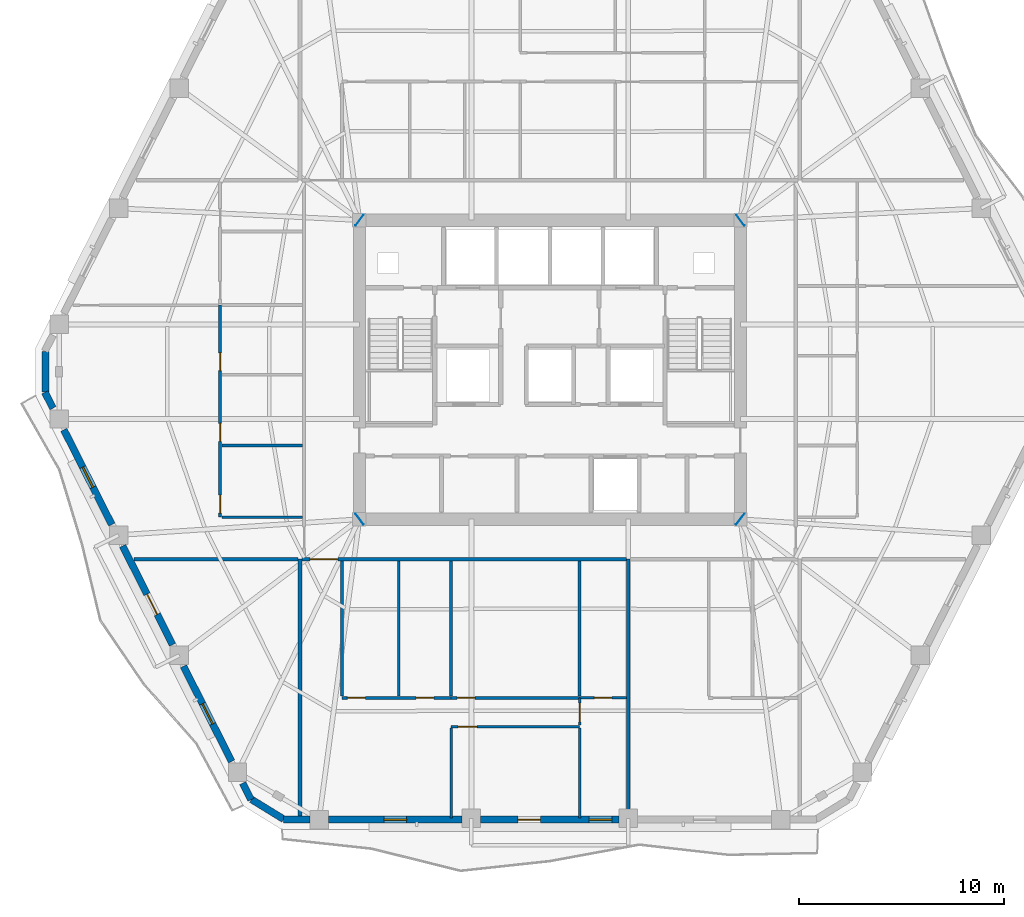
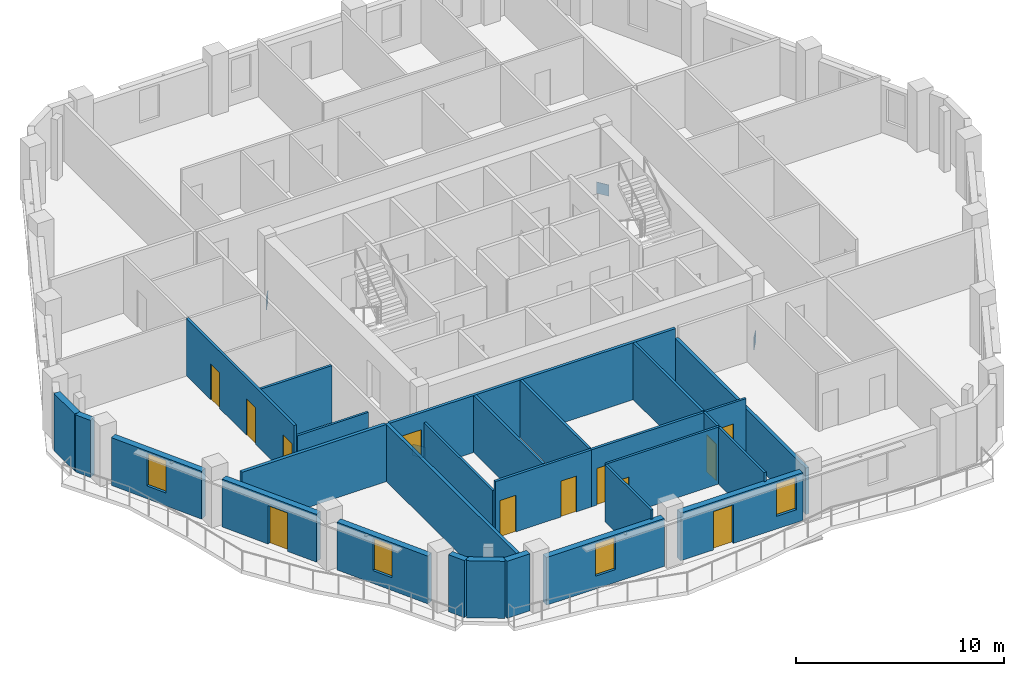
# One storey, part 4 of 12: 28 walls, 12 doors, 4 plates, 4 windows, 16 openings.
"""IFC4 building model written with IfcOpenShell, lengths in metres."""

from ifc_helpers import new_model, si_unit, direction, frame, frame_2d, origin, origin_2d, place, context, subcontext, project, spatial, rectangle, extrude, material, layer, layer_set, type_object, element, fill, save


model = new_model("IFC4")

# Units and contexts
model_context = context("Model", 3, precision=1e-05, world=origin(), true_north=direction((0.0, 1.0)))
body_context = subcontext(model_context, "Body", "Model", "MODEL_VIEW")
ifc_project = project(units=[si_unit("LENGTHUNIT", "METRE"), si_unit("AREAUNIT", "SQUARE_METRE"), si_unit("VOLUMEUNIT", "CUBIC_METRE"), si_unit("PLANEANGLEUNIT", "RADIAN"), si_unit("MASSUNIT", "GRAM", prefix="KILO")], contexts=[model_context])

# Site, building, storey
site_placement = place(None, origin())
site = spatial("IfcSite", under=ifc_project, at=site_placement, CompositionType="ELEMENT")
building_placement = place(site_placement, origin())
building = spatial("IfcBuilding", under=site, at=building_placement, Name="Cinnabar Lancet Tower", CompositionType="ELEMENT")
storey_placement = place(building_placement, frame((0.0, 0.0, 153.5)))
storey = spatial("IfcBuildingStorey", under=building, at=storey_placement, Name="L40", CompositionType="ELEMENT", Elevation=153.5)

# Plates
ifc_material_1 = material(Name="Structural steel S460", Category="steel")
ifc_layer_1 = layer(ifc_material_1, 0.030029296875)
ifc_layer_set_1 = layer_set([ifc_layer_1], Name="Structural steel S460")
plate_type = type_object("IfcPlateType", Name="STR-PL-CAP-25", PredefinedType="SHEET", material=ifc_layer_set_1)
for number, where, z_axis, x_axis, name in (
    (1, (23.10595703125, 18.60498046875, -0.8447265625), (0.0, 0.0, 1.0), (0.797678670674, 0.603082696113, 0.0), "Hollow section end cap plate CP-COR-L40-1"),
    (2, (41.694091796875, 18.60498046875, -0.8447265625), (0.0, 0.0, 1.0), (-0.797678670674, 0.603082696113, 0.0), "Hollow section end cap plate CP-COR-L40-2"),
    (3, (41.694091796875, 33.195068359375, -0.8447265625), (0.0, 0.0, 1.0), (-0.806413642261, -0.591351872894, 0.0), "Hollow section end cap plate CP-COR-L40-3"),
    (4, (23.10595703125, 33.195068359375, -0.8447265625), (0.0, 0.0, 1.0), (0.806413642261, -0.591351872894, 0.0), "Hollow section end cap plate CP-COR-L40-4"),
):
    element("IfcPlate", number, at=place(storey_placement, frame(where, z_axis=z_axis, x_axis=x_axis)), inside=storey, type_object=plate_type, Name=name, PredefinedType="SHEET", context=body_context, shape_type="SweptSolid", body=[
        extrude(rectangle(XDim=0.030029296875, YDim=0.659912109375, at=origin_2d()), origin(), (0.0, 0.0, 1.0), 0.659912109375),
    ])

# Wall, opening, door
ifc_material_2 = material(Name="Acoustic twin-stud gypsum partition", Category="gypsum")
ifc_layer_2 = layer(ifc_material_2, 0.159912109375)
ifc_layer_set_2 = layer_set([ifc_layer_2], Name="Acoustic twin-stud gypsum partition")
wall_type_1 = type_object("IfcWallType", Name="ARC-WL-CORR-160", PredefinedType="PARTITIONING", material=ifc_layer_set_2)
wall_1_placement = place(storey_placement, frame((20.294921875, 16.64990234375, 0.0), z_axis=(0.0, 0.0, 1.0), x_axis=(1.0, 0.0, 0.0)))
wall_1 = element("IfcWall", 5, at=wall_1_placement, inside=storey, type_object=wall_type_1, Name="L40 Unit S01 Corridor Wall", PredefinedType="PARTITIONING", context=body_context, shape_type="SweptSolid", body=[
    extrude(rectangle(XDim=15.842041015625, YDim=0.159912109375, at=frame_2d((7.9208984375, 0.0))), origin(), (0.0, 0.0, 1.0), 3.340087890625),
])
opening_1_placement = place(wall_1_placement, frame((0.405029296875, 0.0, 0.0)))
opening_1 = element("IfcOpeningElement", 6, at=opening_1_placement, cuts=wall_1, Name="Opening UD-02", PredefinedType="OPENING", context=body_context, shape_type="SweptSolid", body=[
    extrude(rectangle(XDim=1.35009765625, YDim=2.35009765625, at=frame_2d((0.675048828125, 1.175048828125))), frame((0.0, 0.08984375, 0.0), z_axis=(0.0, -1.0, 0.0), x_axis=(1.0, 0.0, 0.0)), (0.0, 0.0, 1.0), 0.179931640625),
])
ifc_material_3 = material(Name="Double-leaf solid timber penthouse entrance door", Category="wood")
door_type_1 = type_object("IfcDoorType", Name="ARC-DR-UNIT-PH", OperationType="NOTDEFINED", PredefinedType="DOOR", material=ifc_material_3)
door_1_placement = place(opening_1_placement, origin())
door_1 = element("IfcDoor", 7, at=door_1_placement, inside=storey, type_object=door_type_1, Name="DR-L40-S01-ENT", OperationType="SINGLE_SWING_LEFT", OverallHeight=2.35009765625, OverallWidth=1.35009765625, PredefinedType="DOOR", context=body_context, shape_type="SweptSolid", body=[
    extrude(rectangle(XDim=1.35009765625, YDim=2.35009765625, at=frame_2d((0.675048828125, 1.175048828125))), frame((0.0, 0.02490234375, 0.0), z_axis=(0.0, -1.0, 0.0), x_axis=(1.0, 0.0, 0.0)), (0.0, 0.0, 1.0), 0.050048828125),
])
fill(opening_1, door_1)

# Walls
ifc_material_4 = material(Name="Fire-rated twin-frame acoustic drywall", Category="gypsum")
ifc_layer_3 = layer(ifc_material_4, 0.179931640625)
ifc_layer_set_3 = layer_set([ifc_layer_3], Name="Fire-rated twin-frame acoustic drywall")
wall_type_2 = type_object("IfcWallType", Name="ARC-WL-PARTY-180", PredefinedType="PARTITIONING", material=ifc_layer_set_3)
wall_2_placement = place(storey_placement, frame((20.199951171875, 4.10498046875, 0.0), z_axis=(0.0, 0.0, 1.0), x_axis=(0.0, 1.0, 0.0)))
element("IfcWall", 8, at=wall_2_placement, inside=storey, type_object=wall_type_2, Name="PW-L40-SPTY-202", PredefinedType="PARTITIONING", context=body_context, shape_type="SweptSolid", body=[
    extrude(rectangle(XDim=12.544921875, YDim=0.179931640625, at=frame_2d((6.2724609375, 0.0))), origin(), (0.0, 0.0, 1.0), 3.340087890625),
])
wall_3_placement = place(storey_placement, frame((36.23193359375, 4.10498046875, 0.0), z_axis=(0.0, 0.0, 1.0), x_axis=(0.0, 1.0, 0.0)))
element("IfcWall", 9, at=wall_3_placement, inside=storey, type_object=wall_type_2, Name="PW-L40-SPTY-362", PredefinedType="PARTITIONING", context=body_context, shape_type="SweptSolid", body=[
    extrude(rectangle(XDim=12.544921875, YDim=0.179931640625, at=frame_2d((6.2724609375, 0.0))), origin(), (0.0, 0.0, 1.0), 2.721923828125),
])
wall_4_placement = place(storey_placement, frame((12.10888671875, 16.64990234375, 0.0), z_axis=(0.0, 0.0, 1.0), x_axis=(1.0, 0.0, 0.0)))
element("IfcWall", 10, at=wall_4_placement, inside=storey, type_object=wall_type_2, Name="PW-L40-WSB", PredefinedType="PARTITIONING", context=body_context, shape_type="SweptSolid", body=[
    extrude(rectangle(XDim=7.99609375, YDim=0.179931640625, at=frame_2d((3.998046875, 0.0))), origin(), (0.0, 0.0, 1.0), 3.340087890625),
])
ifc_material_5 = material(Name="Gypsum plasterboard stud partition", Category="gypsum")
ifc_layer_4 = layer(ifc_material_5, 0.125)
ifc_layer_set_4 = layer_set([ifc_layer_4], Name="Gypsum plasterboard stud partition")
wall_type_3 = type_object("IfcWallType", Name="ARC-WL-UNIT-125", PredefinedType="PARTITIONING", material=ifc_layer_set_4)
wall_5_placement = place(storey_placement, frame((22.25, 9.98095703125, 0.0), z_axis=(0.0, 0.0, 1.0), x_axis=(0.0, 1.0, 0.0)))
element("IfcWall", 11, at=wall_5_placement, inside=storey, type_object=wall_type_3, Name="UW-L40-S01-FOYE", PredefinedType="PARTITIONING", context=body_context, shape_type="SweptSolid", body=[
    extrude(rectangle(XDim=6.583984375, YDim=0.125, at=frame_2d((3.2919921875, 0.0))), origin(), (0.0, 0.0, 1.0), 2.721923828125),
])

# Wall, opening, door
wall_6_placement = place(storey_placement, frame((33.85009765625, 9.8759765625, 0.0), z_axis=(0.0, 0.0, 1.0), x_axis=(1.0, 0.0, 0.0)))
wall_6 = element("IfcWall", 12, at=wall_6_placement, inside=storey, type_object=wall_type_3, Name="UW-L40-S01-SP2", PredefinedType="PARTITIONING", context=body_context, shape_type="SweptSolid", body=[
    extrude(rectangle(XDim=2.286865234375, YDim=0.125, at=frame_2d((1.1435546875, 0.0))), origin(), (0.0, 0.0, 1.0), 3.340087890625),
])
opening_2_placement = place(wall_6_placement, frame((0.718017578125, 0.0, 0.0)))
opening_2 = element("IfcOpeningElement", 13, at=opening_2_placement, cuts=wall_6, Name="Opening BD-01", PredefinedType="OPENING", context=body_context, shape_type="SweptSolid", body=[
    extrude(rectangle(XDim=0.860107421875, YDim=2.10009765625, at=frame_2d((0.43017578125, 1.050048828125))), frame((0.0, 0.072509765625, 0.0), z_axis=(0.0, -1.0, 0.0), x_axis=(1.0, 0.0, 0.0)), (0.0, 0.0, 1.0), 0.14501953125),
])
ifc_material_6 = material(Name="Moisture-resistant timber bathroom door", Category="wood")
door_type_2 = type_object("IfcDoorType", Name="ARC-DR-BATH", OperationType="NOTDEFINED", PredefinedType="DOOR", material=ifc_material_6)
door_2_placement = place(opening_2_placement, origin())
door_2 = element("IfcDoor", 14, at=door_2_placement, inside=storey, type_object=door_type_2, Name="DR-L40-S01-ENS", OperationType="SINGLE_SWING_LEFT", OverallHeight=2.10009765625, OverallWidth=0.860107421875, PredefinedType="DOOR", context=body_context, shape_type="SweptSolid", body=[
    extrude(rectangle(XDim=0.860107421875, YDim=2.10009765625, at=frame_2d((0.43017578125, 1.050048828125))), frame((0.0, 0.02490234375, 0.0), z_axis=(0.0, -1.0, 0.0), x_axis=(1.0, 0.0, 0.0)), (0.0, 0.0, 1.0), 0.050048828125),
])
fill(opening_2, door_2)

# Wall
wall_7_placement = place(storey_placement, frame((27.574951171875, 4.014892578125, 0.0), z_axis=(0.0, 0.0, 1.0), x_axis=(0.0, 1.0, 0.0)))
element("IfcWall", 15, at=wall_7_placement, inside=storey, type_object=wall_type_3, Name="UW-L40-S01-BD2W", PredefinedType="PARTITIONING", context=body_context, shape_type="SweptSolid", body=[
    extrude(rectangle(XDim=4.39599609375, YDim=0.125, at=frame_2d((2.197998046875, 0.0))), origin(), (0.0, 0.0, 1.0), 3.340087890625),
])

# Wall, opening, door
wall_8_placement = place(storey_placement, frame((27.574951171875, 8.47607421875, 0.0), z_axis=(0.0, 0.0, 1.0), x_axis=(1.0, 0.0, 0.0)))
wall_8 = element("IfcWall", 16, at=wall_8_placement, inside=storey, type_object=wall_type_3, Name="UW-L40-S01-HLN", PredefinedType="PARTITIONING", context=body_context, shape_type="SweptSolid", body=[
    extrude(rectangle(XDim=6.275146484375, YDim=0.125, at=frame_2d((3.1376953125, 0.0))), origin(), (0.0, 0.0, 1.0), 3.340087890625),
])
opening_3_placement = place(wall_8_placement, frame((0.35009765625, 0.0, 0.0)))
opening_3 = element("IfcOpeningElement", 17, at=opening_3_placement, cuts=wall_8, Name="Opening RD-01", PredefinedType="OPENING", context=body_context, shape_type="SweptSolid", body=[
    extrude(rectangle(XDim=0.919921875, YDim=2.14990234375, at=frame_2d((0.4599609375, 1.074951171875))), frame((0.0, 0.072509765625, 0.0), z_axis=(0.0, -1.0, 0.0), x_axis=(1.0, 0.0, 0.0)), (0.0, 0.0, 1.0), 0.14501953125),
])
ifc_material_7 = material(Name="Engineered timber bedroom door", Category="wood")
door_type_3 = type_object("IfcDoorType", Name="ARC-DR-ROOM", OperationType="NOTDEFINED", PredefinedType="DOOR", material=ifc_material_7)
door_3_placement = place(opening_3_placement, origin())
door_3 = element("IfcDoor", 18, at=door_3_placement, inside=storey, type_object=door_type_3, Name="DR-L40-S01-BD2", OperationType="SINGLE_SWING_RIGHT", OverallHeight=2.14990234375, OverallWidth=0.919921875, PredefinedType="DOOR", context=body_context, shape_type="SweptSolid", body=[
    extrude(rectangle(XDim=0.919921875, YDim=2.14990234375, at=frame_2d((0.4599609375, 1.074951171875))), frame((0.0, 0.02490234375, 0.0), z_axis=(0.0, -1.0, 0.0), x_axis=(1.0, 0.0, 0.0)), (0.0, 0.0, 1.0), 0.050048828125),
])
fill(opening_3, door_3)

wall_9_placement = place(storey_placement, frame((33.85009765625, 8.5458984375, 0.0), z_axis=(0.0, 0.0, 1.0), x_axis=(0.0, 1.0, 0.0)))
wall_9 = element("IfcWall", 19, at=wall_9_placement, inside=storey, type_object=wall_type_3, Name="UW-L40-S01-MBE", PredefinedType="PARTITIONING", context=body_context, shape_type="SweptSolid", body=[
    extrude(rectangle(XDim=1.330078125, YDim=0.125, at=frame_2d((0.6650390625, 0.0))), origin(), (0.0, 0.0, 1.0), 3.340087890625),
])
opening_4_placement = place(wall_9_placement, frame((0.159912109375, 0.0, 0.0)))
opening_4 = element("IfcOpeningElement", 20, at=opening_4_placement, cuts=wall_9, Name="Opening RD-01", PredefinedType="OPENING", context=body_context, shape_type="SweptSolid", body=[
    extrude(rectangle(XDim=0.919921875, YDim=2.14990234375, at=frame_2d((0.4599609375, 1.074951171875))), frame((0.0, 0.072509765625, 0.0), z_axis=(0.0, -1.0, 0.0), x_axis=(1.0, 0.0, 0.0)), (0.0, 0.0, 1.0), 0.14501953125),
])
door_4_placement = place(opening_4_placement, origin())
door_4 = element("IfcDoor", 21, at=door_4_placement, inside=storey, type_object=door_type_3, Name="DR-L40-S01-MBD", OperationType="SINGLE_SWING_RIGHT", OverallHeight=2.14990234375, OverallWidth=0.919921875, PredefinedType="DOOR", context=body_context, shape_type="SweptSolid", body=[
    extrude(rectangle(XDim=0.919921875, YDim=2.14990234375, at=frame_2d((0.4599609375, 1.074951171875))), frame((0.0, 0.02490234375, 0.0), z_axis=(0.0, -1.0, 0.0), x_axis=(1.0, 0.0, 0.0)), (0.0, 0.0, 1.0), 0.050048828125),
])
fill(opening_4, door_4)

# Walls
wall_10_placement = place(storey_placement, frame((33.85009765625, 4.014892578125, 0.0), z_axis=(0.0, 0.0, 1.0), x_axis=(0.0, 1.0, 0.0)))
element("IfcWall", 22, at=wall_10_placement, inside=storey, type_object=wall_type_3, Name="UW-L40-S01-MB2W", PredefinedType="PARTITIONING", context=body_context, shape_type="SweptSolid", body=[
    extrude(rectangle(XDim=4.39599609375, YDim=0.125, at=frame_2d((2.197998046875, 0.0))), origin(), (0.0, 0.0, 1.0), 3.340087890625),
])
wall_11_placement = place(storey_placement, frame((16.385009765625, 18.699951171875, 0.0), z_axis=(0.0, 0.0, 1.0), x_axis=(1.0, 0.0, 0.0)))
element("IfcWall", 23, at=wall_11_placement, inside=storey, type_object=wall_type_3, Name="UW-L40-W01-FOYN", PredefinedType="PARTITIONING", context=body_context, shape_type="SweptSolid", body=[
    extrude(rectangle(XDim=3.929931640625, YDim=0.125, at=frame_2d((1.96484375, 0.0))), origin(), (0.0, 0.0, 1.0), 2.721923828125),
])

# Wall, openings, doors
ifc_material_8 = material(Name="Moisture-resistant cement-board plumbing wall", Category="masonry")
ifc_layer_5 = layer(ifc_material_8, 0.139892578125)
ifc_layer_set_5 = layer_set([ifc_layer_5], Name="Moisture-resistant cement-board plumbing wall")
wall_type_4 = type_object("IfcWallType", Name="ARC-WL-WET-140", PredefinedType="PLUMBINGWALL", material=ifc_layer_set_5)
wall_12_placement = place(storey_placement, frame((22.25, 9.8759765625, 0.0), z_axis=(0.0, 0.0, 1.0), x_axis=(1.0, 0.0, 0.0)))
wall_12 = element("IfcWall", 24, at=wall_12_placement, inside=storey, type_object=wall_type_4, Name="UW-L40-S01-SPL", PredefinedType="PLUMBINGWALL", context=body_context, shape_type="SweptSolid", body=[
    extrude(rectangle(XDim=5.324951171875, YDim=0.139892578125, at=frame_2d((2.66259765625, 0.0))), origin(), (0.0, 0.0, 1.0), 3.340087890625),
])
opening_5_placement = place(wall_12_placement, frame((3.6220703125, 0.0, 0.0)))
opening_5 = element("IfcOpeningElement", 25, at=opening_5_placement, cuts=wall_12, Name="Opening BD-01", PredefinedType="OPENING", context=body_context, shape_type="SweptSolid", body=[
    extrude(rectangle(XDim=0.860107421875, YDim=2.10009765625, at=frame_2d((0.43017578125, 1.050048828125))), frame((0.0, 0.079833984375, 0.0), z_axis=(0.0, -1.0, 0.0), x_axis=(1.0, 0.0, 0.0)), (0.0, 0.0, 1.0), 0.159912109375),
])
opening_6_placement = place(wall_12_placement, frame((0.260009765625, 0.0, 0.0)))
opening_6 = element("IfcOpeningElement", 26, at=opening_6_placement, cuts=wall_12, Name="Opening RD-02", PredefinedType="OPENING", context=body_context, shape_type="SweptSolid", body=[
    extrude(rectangle(XDim=0.8798828125, YDim=2.14990234375, at=frame_2d((0.43994140625, 1.074951171875))), frame((0.0, 0.079833984375, 0.0), z_axis=(0.0, -1.0, 0.0), x_axis=(1.0, 0.0, 0.0)), (0.0, 0.0, 1.0), 0.159912109375),
])
door_5_placement = place(opening_5_placement, origin())
door_5 = element("IfcDoor", 27, at=door_5_placement, inside=storey, type_object=door_type_2, Name="DR-L40-S01-BTH", OperationType="SINGLE_SWING_LEFT", OverallHeight=2.10009765625, OverallWidth=0.860107421875, PredefinedType="DOOR", context=body_context, shape_type="SweptSolid", body=[
    extrude(rectangle(XDim=0.860107421875, YDim=2.10009765625, at=frame_2d((0.43017578125, 1.050048828125))), frame((0.0, 0.02490234375, 0.0), z_axis=(0.0, -1.0, 0.0), x_axis=(1.0, 0.0, 0.0)), (0.0, 0.0, 1.0), 0.050048828125),
])
fill(opening_5, door_5)
ifc_material_9 = material(Name="Engineered timber study door", Category="wood")
door_type_4 = type_object("IfcDoorType", Name="ARC-DR-STUDY", OperationType="NOTDEFINED", PredefinedType="DOOR", material=ifc_material_9)
door_6_placement = place(opening_6_placement, origin())
door_6 = element("IfcDoor", 28, at=door_6_placement, inside=storey, type_object=door_type_4, Name="DR-L40-S01-KIT", OperationType="SINGLE_SWING_RIGHT", OverallHeight=2.14990234375, OverallWidth=0.8798828125, PredefinedType="DOOR", context=body_context, shape_type="SweptSolid", body=[
    extrude(rectangle(XDim=0.8798828125, YDim=2.14990234375, at=frame_2d((0.43994140625, 1.074951171875))), frame((0.0, 0.02490234375, 0.0), z_axis=(0.0, -1.0, 0.0), x_axis=(1.0, 0.0, 0.0)), (0.0, 0.0, 1.0), 0.050048828125),
])
fill(opening_6, door_6)

# Wall, opening, door
wall_13_placement = place(storey_placement, frame((27.574951171875, 9.8759765625, 0.0), z_axis=(0.0, 0.0, 1.0), x_axis=(1.0, 0.0, 0.0)))
wall_13 = element("IfcWall", 29, at=wall_13_placement, inside=storey, type_object=wall_type_4, Name="UW-L40-S01-SPM", PredefinedType="PLUMBINGWALL", context=body_context, shape_type="SweptSolid", body=[
    extrude(rectangle(XDim=6.275146484375, YDim=0.139892578125, at=frame_2d((3.1376953125, 0.0))), origin(), (0.0, 0.0, 1.0), 3.340087890625),
])
opening_7_placement = place(wall_13_placement, frame((0.300048828125, 0.0, 0.0)))
opening_7 = element("IfcOpeningElement", 30, at=opening_7_placement, cuts=wall_13, Name="Opening RD-02", PredefinedType="OPENING", context=body_context, shape_type="SweptSolid", body=[
    extrude(rectangle(XDim=0.8798828125, YDim=2.14990234375, at=frame_2d((0.43994140625, 1.074951171875))), frame((0.0, 0.079833984375, 0.0), z_axis=(0.0, -1.0, 0.0), x_axis=(1.0, 0.0, 0.0)), (0.0, 0.0, 1.0), 0.159912109375),
])
door_7_placement = place(opening_7_placement, origin())
door_7 = element("IfcDoor", 31, at=door_7_placement, inside=storey, type_object=door_type_4, Name="DR-L40-S01-UTL", OperationType="SINGLE_SWING_LEFT", OverallHeight=2.14990234375, OverallWidth=0.8798828125, PredefinedType="DOOR", context=body_context, shape_type="SweptSolid", body=[
    extrude(rectangle(XDim=0.8798828125, YDim=2.14990234375, at=frame_2d((0.43994140625, 1.074951171875))), frame((0.0, 0.02490234375, 0.0), z_axis=(0.0, -1.0, 0.0), x_axis=(1.0, 0.0, 0.0)), (0.0, 0.0, 1.0), 0.050048828125),
])
fill(opening_7, door_7)

# Walls
for number, where, z_axis, x_axis, name in (
    (32, (25.01904296875, 9.98095703125, 0.0), (0.0, 0.0, 1.0), (0.0, 1.0, 0.0), "UW-L40-S01-KDV"),
    (33, (27.574951171875, 9.98095703125, 0.0), (0.0, 0.0, 1.0), (0.0, 1.0, 0.0), "UW-L40-S01-ENSW"),
    (34, (33.85009765625, 9.98095703125, 0.0), (0.0, 0.0, 1.0), (0.0, 1.0, 0.0), "UW-L40-S01-ENSE"),
):
    element("IfcWall", number, at=place(storey_placement, frame(where, z_axis=z_axis, x_axis=x_axis)), inside=storey, type_object=wall_type_4, Name=name, PredefinedType="PLUMBINGWALL", context=body_context, shape_type="SweptSolid", body=[
        extrude(rectangle(XDim=6.583984375, YDim=0.139892578125, at=frame_2d((3.2919921875, 0.0))), origin(), (0.0, 0.0, 1.0), 3.340087890625),
    ])

# Wall, openings, doors
wall_14_placement = place(storey_placement, frame((16.300048828125, 18.699951171875, 0.0), z_axis=(0.0, 0.0, 1.0), x_axis=(0.0, 1.0, 0.0)))
wall_14 = element("IfcWall", 35, at=wall_14_placement, inside=storey, type_object=wall_type_4, Name="UW-L40-W01-SPL", PredefinedType="PLUMBINGWALL", context=body_context, shape_type="SweptSolid", body=[
    extrude(rectangle(XDim=10.35498046875, YDim=0.139892578125, at=frame_2d((5.177490234375, 0.0))), origin(), (0.0, 0.0, 1.0), 3.340087890625),
])
opening_8_placement = place(wall_14_placement, frame((0.199951171875, 0.0, 0.0)))
opening_8 = element("IfcOpeningElement", 36, at=opening_8_placement, cuts=wall_14, Name="Opening RD-02", PredefinedType="OPENING", context=body_context, shape_type="SweptSolid", body=[
    extrude(rectangle(XDim=0.8798828125, YDim=2.14990234375, at=frame_2d((0.43994140625, 1.074951171875))), frame((0.0, 0.079833984375, 0.0), z_axis=(0.0, -1.0, 0.0), x_axis=(1.0, 0.0, 0.0)), (0.0, 0.0, 1.0), 0.159912109375),
])
opening_9_placement = place(wall_14_placement, frame((3.699951171875, 0.0, 0.0)))
opening_9 = element("IfcOpeningElement", 37, at=opening_9_placement, cuts=wall_14, Name="Opening RD-02", PredefinedType="OPENING", context=body_context, shape_type="SweptSolid", body=[
    extrude(rectangle(XDim=0.8798828125, YDim=2.14990234375, at=frame_2d((0.43994140625, 1.074951171875))), frame((0.0, 0.079833984375, 0.0), z_axis=(0.0, -1.0, 0.0), x_axis=(1.0, 0.0, 0.0)), (0.0, 0.0, 1.0), 0.159912109375),
])
opening_10_placement = place(wall_14_placement, frame((7.155029296875, 0.0, 0.0)))
opening_10 = element("IfcOpeningElement", 38, at=opening_10_placement, cuts=wall_14, Name="Opening BD-01", PredefinedType="OPENING", context=body_context, shape_type="SweptSolid", body=[
    extrude(rectangle(XDim=0.860107421875, YDim=2.10009765625, at=frame_2d((0.43017578125, 1.050048828125))), frame((0.0, 0.079833984375, 0.0), z_axis=(0.0, -1.0, 0.0), x_axis=(1.0, 0.0, 0.0)), (0.0, 0.0, 1.0), 0.159912109375),
])
door_8_placement = place(opening_10_placement, origin())
door_8 = element("IfcDoor", 39, at=door_8_placement, inside=storey, type_object=door_type_2, Name="DR-L40-W01-BTH", OperationType="SINGLE_SWING_RIGHT", OverallHeight=2.10009765625, OverallWidth=0.860107421875, PredefinedType="DOOR", context=body_context, shape_type="SweptSolid", body=[
    extrude(rectangle(XDim=0.860107421875, YDim=2.10009765625, at=frame_2d((0.43017578125, 1.050048828125))), frame((0.0, 0.02490234375, 0.0), z_axis=(0.0, -1.0, 0.0), x_axis=(1.0, 0.0, 0.0)), (0.0, 0.0, 1.0), 0.050048828125),
])
fill(opening_10, door_8)
door_9_placement = place(opening_8_placement, origin())
door_9 = element("IfcDoor", 40, at=door_9_placement, inside=storey, type_object=door_type_4, Name="DR-L40-W01-KIT", OperationType="SINGLE_SWING_RIGHT", OverallHeight=2.14990234375, OverallWidth=0.8798828125, PredefinedType="DOOR", context=body_context, shape_type="SweptSolid", body=[
    extrude(rectangle(XDim=0.8798828125, YDim=2.14990234375, at=frame_2d((0.43994140625, 1.074951171875))), frame((0.0, 0.02490234375, 0.0), z_axis=(0.0, -1.0, 0.0), x_axis=(1.0, 0.0, 0.0)), (0.0, 0.0, 1.0), 0.050048828125),
])
fill(opening_8, door_9)
door_10_placement = place(opening_9_placement, origin())
door_10 = element("IfcDoor", 41, at=door_10_placement, inside=storey, type_object=door_type_4, Name="DR-L40-W01-UTL", OperationType="SINGLE_SWING_LEFT", OverallHeight=2.14990234375, OverallWidth=0.8798828125, PredefinedType="DOOR", context=body_context, shape_type="SweptSolid", body=[
    extrude(rectangle(XDim=0.8798828125, YDim=2.14990234375, at=frame_2d((0.43994140625, 1.074951171875))), frame((0.0, 0.02490234375, 0.0), z_axis=(0.0, -1.0, 0.0), x_axis=(1.0, 0.0, 0.0)), (0.0, 0.0, 1.0), 0.050048828125),
])
fill(opening_9, door_10)

# Walls
wall_15_placement = place(storey_placement, frame((16.385009765625, 22.199951171875, 0.0), z_axis=(0.0, 0.0, 1.0), x_axis=(1.0, 0.0, 0.0)))
element("IfcWall", 42, at=wall_15_placement, inside=storey, type_object=wall_type_4, Name="UW-L40-W01-KDV", PredefinedType="PLUMBINGWALL", context=body_context, shape_type="SweptSolid", body=[
    extrude(rectangle(XDim=3.929931640625, YDim=0.139892578125, at=frame_2d((1.96484375, 0.0))), origin(), (0.0, 0.0, 1.0), 3.340087890625),
])
ifc_material_10 = material(Name="Cinnabar red clay brick", Category="masonry")
ifc_layer_6 = layer(ifc_material_10, 0.340087890625)
ifc_layer_set_6 = layer_set([ifc_layer_6], Name="Cinnabar red clay brick")
wall_type_5 = type_object("IfcWallType", Name="ENV-WL-BRK-RED-340", PredefinedType="STANDARD", material=ifc_layer_set_6)
wall_16_placement = place(storey_placement, frame((17.8291015625, 4.923095703125, 0.0), z_axis=(0.0, 0.0, 1.0), x_axis=(0.851798915137, -0.523868884523, 0.0)))
element("IfcWall", 43, at=wall_16_placement, inside=storey, type_object=wall_type_5, Name="L40 Chamfered Corner Brick Pier 1.1", PredefinedType="STANDARD", context=body_context, shape_type="SweptSolid", body=[
    extrude(rectangle(XDim=1.847900390625, YDim=0.340087890625, at=frame_2d((0.923828125, 0.0))), origin(), (0.0, 0.0, 1.0), 3.340087890625),
])
wall_17_placement = place(storey_placement, frame((7.76708984375, 26.797119140625, 0.0), z_axis=(0.0, 0.0, 1.0), x_axis=(0.0, -1.0, 0.0)))
element("IfcWall", 44, at=wall_17_placement, inside=storey, type_object=wall_type_5, Name="L40 Chamfered Corner Brick Pier 6.1", PredefinedType="STANDARD", context=body_context, shape_type="SweptSolid", body=[
    extrude(rectangle(XDim=1.994140625, YDim=0.340087890625, at=frame_2d((0.9970703125, 0.0))), origin(), (0.0, 0.0, 1.0), 3.340087890625),
])
wall_18_placement = place(storey_placement, frame((19.39794921875, 3.929931640625, 0.0), z_axis=(0.0, 0.0, 1.0), x_axis=(1.0, 0.0, 0.0)))
element("IfcWall", 45, at=wall_18_placement, inside=storey, type_object=wall_type_5, Name="L40 Face 1 Masonry Bay Wall 1", PredefinedType="STANDARD", context=body_context, shape_type="SweptSolid", body=[
    extrude(rectangle(XDim=1.279052734375, YDim=0.340087890625, at=frame_2d((0.6396484375, 0.0))), origin(), (0.0, 0.0, 1.0), 3.340087890625),
])

# Wall, opening, window
wall_19_placement = place(storey_placement, frame((21.5849609375, 3.929931640625, 0.0), z_axis=(0.0, 0.0, 1.0), x_axis=(1.0, 0.0, 0.0)))
wall_19 = element("IfcWall", 46, at=wall_19_placement, inside=storey, type_object=wall_type_5, Name="L40 Face 1 Masonry Bay Wall 2", PredefinedType="STANDARD", context=body_context, shape_type="SweptSolid", body=[
    extrude(rectangle(XDim=6.529052734375, YDim=0.340087890625, at=frame_2d((3.2646484375, 0.0))), origin(), (0.0, 0.0, 1.0), 2.797119140625),
])
opening_11_placement = place(wall_19_placement, frame((2.715087890625, 0.0, 0.75)))
opening_11 = element("IfcOpeningElement", 47, at=opening_11_placement, cuts=wall_19, Name="Opening WN-04", PredefinedType="OPENING", context=body_context, shape_type="SweptSolid", body=[
    extrude(rectangle(XDim=1.10009765625, YDim=1.89697265625, at=frame_2d((0.550048828125, 0.948486328125))), frame((0.0, 0.179931640625, 0.0), z_axis=(0.0, -1.0, 0.0), x_axis=(1.0, 0.0, 0.0)), (0.0, 0.0, 1.0), 0.360107421875),
])
ifc_material_11 = material(Name="Thermally broken bronze-anodized aluminium tall lancet window", Category="aluminium")
window_type = type_object("IfcWindowType", Name="ENV-WN-LANCET-1100", PartitioningType="SINGLE_PANEL", PredefinedType="WINDOW", material=ifc_material_11)
window_1_placement = place(opening_11_placement, origin())
window_1 = element("IfcWindow", 48, at=window_1_placement, inside=storey, type_object=window_type, Name="L40 Face 1 Gothic Lancet Window 2", OverallHeight=1.89697265625, OverallWidth=1.10009765625, PartitioningType="SINGLE_PANEL", PredefinedType="WINDOW", context=body_context, shape_type="SweptSolid", body=[
    extrude(rectangle(XDim=1.10009765625, YDim=1.89697265625, at=frame_2d((0.550048828125, 0.948486328125))), frame((0.0, 0.030029296875, 0.0), z_axis=(0.0, -1.0, 0.0), x_axis=(1.0, 0.0, 0.0)), (0.0, 0.0, 1.0), 0.06005859375),
])
fill(opening_11, window_1)

# Wall, openings, door, window
wall_20_placement = place(storey_placement, frame((29.02197265625, 3.929931640625, 0.0), z_axis=(0.0, 0.0, 1.0), x_axis=(1.0, 0.0, 0.0)))
wall_20 = element("IfcWall", 49, at=wall_20_placement, inside=storey, type_object=wall_type_5, Name="L40 Face 1 Masonry Bay Wall 3", PredefinedType="STANDARD", context=body_context, shape_type="SweptSolid", body=[
    extrude(rectangle(XDim=6.756103515625, YDim=0.340087890625, at=frame_2d((3.3779296875, 0.0))), origin(), (0.0, 0.0, 1.0), 2.797119140625),
])
opening_12_placement = place(wall_20_placement, frame((1.81298828125, 0.0, 0.0)))
opening_12 = element("IfcOpeningElement", 50, at=opening_12_placement, cuts=wall_20, Name="Opening TD-01", PredefinedType="OPENING", context=body_context, shape_type="SweptSolid", body=[
    extrude(rectangle(XDim=1.10009765625, YDim=2.25, at=frame_2d((0.550048828125, 1.125))), frame((0.0, 0.179931640625, 0.0), z_axis=(0.0, -1.0, 0.0), x_axis=(1.0, 0.0, 0.0)), (0.0, 0.0, 1.0), 0.360107421875),
])
opening_13_placement = place(wall_20_placement, frame((5.298095703125, 0.0, 0.75)))
opening_13 = element("IfcOpeningElement", 51, at=opening_13_placement, cuts=wall_20, Name="Opening WN-04", PredefinedType="OPENING", context=body_context, shape_type="SweptSolid", body=[
    extrude(rectangle(XDim=1.10009765625, YDim=1.89697265625, at=frame_2d((0.550048828125, 0.948486328125))), frame((0.0, 0.179931640625, 0.0), z_axis=(0.0, -1.0, 0.0), x_axis=(1.0, 0.0, 0.0)), (0.0, 0.0, 1.0), 0.360107421875),
])
ifc_material_12 = material(Name="Thermally broken low-E glazed balcony terrace door", Category="wood")
door_type_5 = type_object("IfcDoorType", Name="ARC-DR-BALC", OperationType="NOTDEFINED", PredefinedType="DOOR", material=ifc_material_12)
door_11_placement = place(opening_12_placement, origin())
door_11 = element("IfcDoor", 52, at=door_11_placement, inside=storey, type_object=door_type_5, Name="L40 Face 1 Glazed Terrace Door", OperationType="SINGLE_SWING_LEFT", OverallHeight=2.25, OverallWidth=1.10009765625, PredefinedType="DOOR", context=body_context, shape_type="SweptSolid", body=[
    extrude(rectangle(XDim=1.10009765625, YDim=2.25, at=frame_2d((0.550048828125, 1.125))), frame((0.0, 0.02490234375, 0.0), z_axis=(0.0, -1.0, 0.0), x_axis=(1.0, 0.0, 0.0)), (0.0, 0.0, 1.0), 0.050048828125),
])
fill(opening_12, door_11)
window_2_placement = place(opening_13_placement, origin())
window_2 = element("IfcWindow", 53, at=window_2_placement, inside=storey, type_object=window_type, Name="L40 Split-Bay Gothic Lancet Window 112", OverallHeight=1.89697265625, OverallWidth=1.10009765625, PartitioningType="SINGLE_PANEL", PredefinedType="WINDOW", context=body_context, shape_type="SweptSolid", body=[
    extrude(rectangle(XDim=1.10009765625, YDim=1.89697265625, at=frame_2d((0.550048828125, 0.948486328125))), frame((0.0, 0.030029296875, 0.0), z_axis=(0.0, -1.0, 0.0), x_axis=(1.0, 0.0, 0.0)), (0.0, 0.0, 1.0), 0.06005859375),
])
fill(opening_13, window_2)

# Wall
wall_21_placement = place(storey_placement, frame((7.74609375, 24.7958984375, 0.0), z_axis=(0.0, 0.0, 1.0), x_axis=(0.451699687084, -0.892170046957, 0.0)))
element("IfcWall", 54, at=wall_21_placement, inside=storey, type_object=wall_type_5, Name="L40 Face 6 Masonry Bay Wall 1", PredefinedType="STANDARD", context=body_context, shape_type="SweptSolid", body=[
    extrude(rectangle(XDim=0.86962890625, YDim=0.340087890625, at=frame_2d((0.434814453125, 0.0))), origin(), (0.0, 0.0, 1.0), 3.340087890625),
])

# Wall, opening, window
wall_22_placement = place(storey_placement, frame((8.675048828125, 22.9599609375, 0.0), z_axis=(0.0, 0.0, 1.0), x_axis=(0.451506699894, -0.892267728852, 0.0)))
wall_22 = element("IfcWall", 55, at=wall_22_placement, inside=storey, type_object=wall_type_5, Name="L40 Face 6 Masonry Bay Wall 2", PredefinedType="STANDARD", context=body_context, shape_type="SweptSolid", body=[
    extrude(rectangle(XDim=5.18017578125, YDim=0.340087890625, at=frame_2d((2.590087890625, 0.0))), origin(), (0.0, 0.0, 1.0), 2.797119140625),
])
opening_14_placement = place(wall_22_placement, frame((2.0400390625, 0.0, 0.75)))
opening_14 = element("IfcOpeningElement", 56, at=opening_14_placement, cuts=wall_22, Name="Opening WN-04", PredefinedType="OPENING", context=body_context, shape_type="SweptSolid", body=[
    extrude(rectangle(XDim=1.10009765625, YDim=1.89697265625, at=frame_2d((0.550048828125, 0.948486328125))), frame((0.0, 0.179931640625, 0.0), z_axis=(0.0, -1.0, 0.0), x_axis=(1.0, 0.0, 0.0)), (0.0, 0.0, 1.0), 0.360107421875),
])
window_3_placement = place(opening_14_placement, origin())
window_3 = element("IfcWindow", 57, at=window_3_placement, inside=storey, type_object=window_type, Name="L40 Face 6 Gothic Lancet Window 2", OverallHeight=1.89697265625, OverallWidth=1.10009765625, PartitioningType="SINGLE_PANEL", PredefinedType="WINDOW", context=body_context, shape_type="SweptSolid", body=[
    extrude(rectangle(XDim=1.10009765625, YDim=1.89697265625, at=frame_2d((0.550048828125, 0.948486328125))), frame((0.0, 0.030029296875, 0.0), z_axis=(0.0, -1.0, 0.0), x_axis=(1.0, 0.0, 0.0)), (0.0, 0.0, 1.0), 0.06005859375),
])
fill(opening_14, window_3)

# Wall, opening, door
wall_23_placement = place(storey_placement, frame((11.5419921875, 17.29296875, 0.0), z_axis=(0.0, 0.0, 1.0), x_axis=(0.451491174807, -0.892275584711, 0.0)))
wall_23 = element("IfcWall", 58, at=wall_23_placement, inside=storey, type_object=wall_type_5, Name="L40 Face 6 Masonry Bay Wall 3", PredefinedType="STANDARD", context=body_context, shape_type="SweptSolid", body=[
    extrude(rectangle(XDim=5.404296875, YDim=0.340087890625, at=frame_2d((2.7021484375, 0.0))), origin(), (0.0, 0.0, 1.0), 2.797119140625),
])
opening_15_placement = place(wall_23_placement, frame((2.636962890625, 0.0, 0.0)))
opening_15 = element("IfcOpeningElement", 59, at=opening_15_placement, cuts=wall_23, Name="Opening TD-01", PredefinedType="OPENING", context=body_context, shape_type="SweptSolid", body=[
    extrude(rectangle(XDim=1.10009765625, YDim=2.25, at=frame_2d((0.550048828125, 1.125))), frame((0.0, 0.179931640625, 0.0), z_axis=(0.0, -1.0, 0.0), x_axis=(1.0, 0.0, 0.0)), (0.0, 0.0, 1.0), 0.360107421875),
])
door_12_placement = place(opening_15_placement, origin())
door_12 = element("IfcDoor", 60, at=door_12_placement, inside=storey, type_object=door_type_5, Name="L40 Face 6 Glazed Terrace Door", OperationType="SINGLE_SWING_RIGHT", OverallHeight=2.25, OverallWidth=1.10009765625, PredefinedType="DOOR", context=body_context, shape_type="SweptSolid", body=[
    extrude(rectangle(XDim=1.10009765625, YDim=2.25, at=frame_2d((0.550048828125, 1.125))), frame((0.0, 0.02490234375, 0.0), z_axis=(0.0, -1.0, 0.0), x_axis=(1.0, 0.0, 0.0)), (0.0, 0.0, 1.0), 0.050048828125),
])
fill(opening_15, door_12)

# Wall, opening, window
wall_24_placement = place(storey_placement, frame((14.510986328125, 11.424072265625, 0.0), z_axis=(0.0, 0.0, 1.0), x_axis=(0.451595734115, -0.892222670038, 0.0)))
wall_24 = element("IfcWall", 61, at=wall_24_placement, inside=storey, type_object=wall_type_5, Name="L40 Face 6 Masonry Bay Wall 4", PredefinedType="STANDARD", context=body_context, shape_type="SweptSolid", body=[
    extrude(rectangle(XDim=5.208251953125, YDim=0.340087890625, at=frame_2d((2.60400390625, 0.0))), origin(), (0.0, 0.0, 1.0), 2.797119140625),
])
opening_16_placement = place(wall_24_placement, frame((2.053955078125, 0.0, 0.75)))
opening_16 = element("IfcOpeningElement", 62, at=opening_16_placement, cuts=wall_24, Name="Opening WN-04", PredefinedType="OPENING", context=body_context, shape_type="SweptSolid", body=[
    extrude(rectangle(XDim=1.10009765625, YDim=1.89697265625, at=frame_2d((0.550048828125, 0.948486328125))), frame((0.0, 0.179931640625, 0.0), z_axis=(0.0, -1.0, 0.0), x_axis=(1.0, 0.0, 0.0)), (0.0, 0.0, 1.0), 0.360107421875),
])
window_4_placement = place(opening_16_placement, origin())
window_4 = element("IfcWindow", 63, at=window_4_placement, inside=storey, type_object=window_type, Name="L40 Face 6 Gothic Lancet Window 4", OverallHeight=1.89697265625, OverallWidth=1.10009765625, PartitioningType="SINGLE_PANEL", PredefinedType="WINDOW", context=body_context, shape_type="SweptSolid", body=[
    extrude(rectangle(XDim=1.10009765625, YDim=1.89697265625, at=frame_2d((0.550048828125, 0.948486328125))), frame((0.0, 0.030029296875, 0.0), z_axis=(0.0, -1.0, 0.0), x_axis=(1.0, 0.0, 0.0)), (0.0, 0.0, 1.0), 0.06005859375),
])
fill(opening_16, window_4)

# Wall
wall_25_placement = place(storey_placement, frame((17.39990234375, 5.715087890625, 0.0), z_axis=(0.0, 0.0, 1.0), x_axis=(0.45173600575, -0.892151658133, 0.0)))
element("IfcWall", 64, at=wall_25_placement, inside=storey, type_object=wall_type_5, Name="L40 Face 6 Masonry Bay Wall 5", PredefinedType="STANDARD", context=body_context, shape_type="SweptSolid", body=[
    extrude(rectangle(XDim=0.90576171875, YDim=0.340087890625, at=frame_2d((0.452880859375, 0.0))), origin(), (0.0, 0.0, 1.0), 3.340087890625),
])

save(model, "model.ifc")
